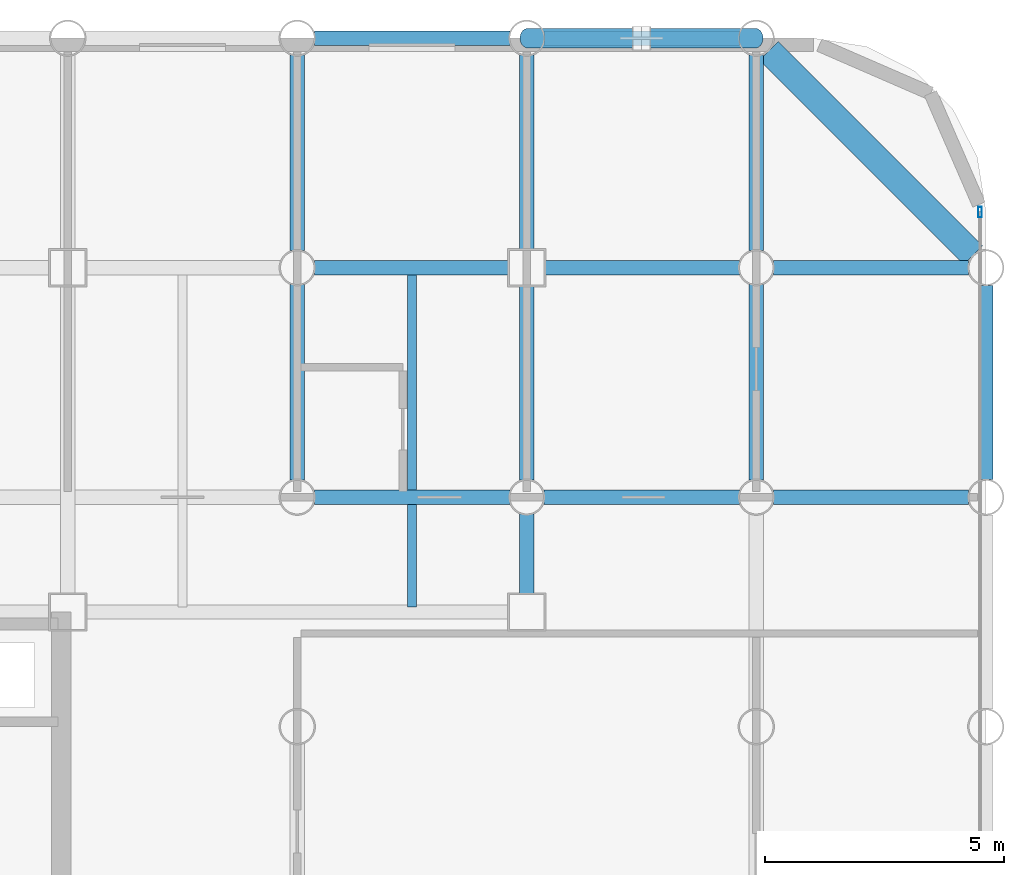
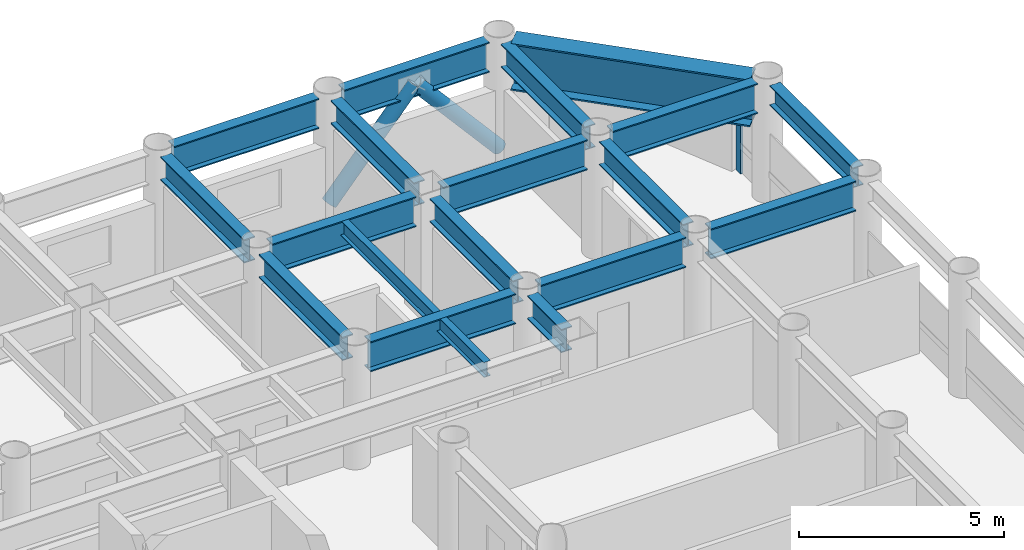
# One storey, part 13 of 21: 18 beams, 3 members, 1 element without a shape of its own.
"""IFC4 building model written with IfcOpenShell, lengths in metres."""

from ifc_helpers import new_model, si_unit, direction, frame, origin, origin_2d, place, context, subcontext, project, spatial, hollow_rectangle, hollow_circle, i_section, extrude, material, layer, layer_set, material_profile, profile_set, type_object, element, aggregate, save


model = new_model("IFC4")

# Units and contexts
model_context = context("Model", 3, precision=1e-05, world=origin(), true_north=direction((0.0, 1.0)))
body_context = subcontext(model_context, "Body", "Model", "MODEL_VIEW")
ifc_project = project(units=[si_unit("LENGTHUNIT", "METRE"), si_unit("AREAUNIT", "SQUARE_METRE"), si_unit("VOLUMEUNIT", "CUBIC_METRE"), si_unit("PLANEANGLEUNIT", "RADIAN"), si_unit("MASSUNIT", "GRAM", prefix="KILO")], contexts=[model_context])

# Site, building, storey
site_placement = place(None, origin())
site = spatial("IfcSite", under=ifc_project, at=site_placement, CompositionType="ELEMENT")
building_placement = place(site_placement, origin())
building = spatial("IfcBuilding", under=site, at=building_placement, Name="Kallvorn Hotel Tower", CompositionType="ELEMENT")
storey_placement = place(building_placement, frame((0.0, 0.0, 81.800048828125)))
storey = spatial("IfcBuildingStorey", under=building, at=storey_placement, Name="L19", CompositionType="ELEMENT", Elevation=81.800048828125)

# Beams
ifc_material_1 = material(Name="Structural steel S355JR", Category="steel")
ifc_material_profile_1 = material_profile(ifc_material_1, i_section(OverallWidth=0.300048828125, OverallDepth=0.60009765625, WebThickness=0.015380859375, FlangeThickness=0.030029296875, at=origin_2d()), Name="HE 600 B")
ifc_profile_set_1 = profile_set([ifc_material_profile_1], Name="Structural steel S355JR")
beam_type_1 = type_object("IfcBeamType", Name="BM_HE600B", PredefinedType="SPANDREL", material=ifc_profile_set_1)
beam_1_placement = place(storey_placement, frame((33.60009765625, 9.970947265625, 3.219970703125), z_axis=(0.0, 1.0, 0.0), x_axis=(-1.0, 0.0, 0.0)))
element("IfcBeam", 1, at=beam_1_placement, inside=storey, type_object=beam_type_1, Name="L20 Perimeter Spandrel 188", PredefinedType="SPANDREL", context=body_context, shape_type="SweptSolid", body=[
    extrude(i_section(OverallWidth=0.300048828125, OverallDepth=0.60009765625, WebThickness=0.015380859375, FlangeThickness=0.030029296875, at=origin_2d()), origin(), (0.0, 0.0, 1.0), 4.05810546875),
])
ifc_material_2 = material(Name="Structural steel S355JR", Category="steel")
ifc_material_profile_2 = material_profile(ifc_material_2, i_section(OverallWidth=0.300048828125, OverallDepth=0.699951171875, WebThickness=0.01708984375, FlangeThickness=0.031982421875, at=origin_2d()), Name="HE 700 B")
ifc_profile_set_2 = profile_set([ifc_material_profile_2], Name="Structural steel S355JR")
beam_type_2 = type_object("IfcBeamType", Name="BM_HE700B", PredefinedType="BEAM", material=ifc_profile_set_2)
for number, where, z_axis, x_axis, name in (
    (2, (19.199951171875, 9.9560546875, 3.169921875), (0.0, 1.0, 0.0), (-1.0, 0.0, 0.0), "L20 Primary Y-Girder 133"),
    (3, (19.199951171875, 14.756103515625, 3.169921875), (0.0, 1.0, 0.0), (-1.0, 0.0, 0.0), "L20 Primary Y-Girder 134"),
):
    element("IfcBeam", number, at=place(storey_placement, frame(where, z_axis=z_axis, x_axis=x_axis)), inside=storey, type_object=beam_type_2, Name=name, PredefinedType="BEAM", context=body_context, shape_type="SweptSolid", body=[
        extrude(i_section(OverallWidth=0.300048828125, OverallDepth=0.699951171875, WebThickness=0.01708984375, FlangeThickness=0.031982421875, at=origin_2d()), origin(), (0.0, 0.0, 1.0), 4.087890625),
    ])
beam_2_placement = place(storey_placement, frame((24.0, 7.574951171875, 3.169921875), z_axis=(0.0, 1.0, 0.0), x_axis=(-1.0, 0.0, 0.0)))
element("IfcBeam", 4, at=beam_2_placement, inside=storey, type_object=beam_type_2, Name="L20 Primary Y-Girder 139", PredefinedType="BEAM", context=body_context, shape_type="SweptSolid", body=[
    extrude(i_section(OverallWidth=0.300048828125, OverallDepth=0.699951171875, WebThickness=0.01708984375, FlangeThickness=0.031982421875, at=origin_2d()), origin(), (0.0, 0.0, 1.0), 1.6689453125),
])
beam_3_placement = place(storey_placement, frame((24.0, 9.9560546875, 3.169921875), z_axis=(0.0, 1.0, 0.0), x_axis=(-1.0, 0.0, 0.0)))
element("IfcBeam", 5, at=beam_3_placement, inside=storey, type_object=beam_type_2, Name="L20 Primary Y-Girder 140", PredefinedType="BEAM", context=body_context, shape_type="SweptSolid", body=[
    extrude(i_section(OverallWidth=0.300048828125, OverallDepth=0.699951171875, WebThickness=0.01708984375, FlangeThickness=0.031982421875, at=origin_2d()), origin(), (0.0, 0.0, 1.0), 4.06884765625),
])
beam_4_placement = place(storey_placement, frame((24.0, 14.77490234375, 3.169921875), z_axis=(0.0, 1.0, 0.0), x_axis=(-1.0, 0.0, 0.0)))
element("IfcBeam", 6, at=beam_4_placement, inside=storey, type_object=beam_type_2, Name="L20 Primary Y-Girder 141", PredefinedType="BEAM", context=body_context, shape_type="SweptSolid", body=[
    extrude(i_section(OverallWidth=0.300048828125, OverallDepth=0.699951171875, WebThickness=0.01708984375, FlangeThickness=0.031982421875, at=origin_2d()), origin(), (0.0, 0.0, 1.0), 4.069091796875),
])
for number, where, z_axis, x_axis, name in (
    (7, (28.800048828125, 9.9560546875, 3.169921875), (0.0, 1.0, 0.0), (-1.0, 0.0, 0.0), "L20 Primary Y-Girder 149"),
    (8, (28.800048828125, 14.756103515625, 3.169921875), (0.0, 1.0, 0.0), (-1.0, 0.0, 0.0), "L20 Primary Y-Girder 150"),
):
    element("IfcBeam", number, at=place(storey_placement, frame(where, z_axis=z_axis, x_axis=x_axis)), inside=storey, type_object=beam_type_2, Name=name, PredefinedType="BEAM", context=body_context, shape_type="SweptSolid", body=[
        extrude(i_section(OverallWidth=0.300048828125, OverallDepth=0.699951171875, WebThickness=0.01708984375, FlangeThickness=0.031982421875, at=origin_2d()), origin(), (0.0, 0.0, 1.0), 4.087890625),
    ])
ifc_material_3 = material(Name="Structural steel S355JR", Category="steel")
ifc_material_profile_3 = material_profile(ifc_material_3, i_section(OverallWidth=0.300048828125, OverallDepth=0.89990234375, WebThickness=0.0185546875, FlangeThickness=0.034912109375, at=origin_2d()), Name="HE 900 B")
ifc_profile_set_3 = profile_set([ifc_material_profile_3], Name="Structural steel S355JR")
beam_type_3 = type_object("IfcBeamType", Name="BM_HE900B", PredefinedType="BEAM", material=ifc_profile_set_3)
for number, where, z_axis, x_axis, name in (
    (9, (19.555908203125, 9.60009765625, 3.070068359375), (1.0, 0.0, 0.0), (0.0, 1.0, 0.0), "L20 Primary X-Girder 48"),
    (10, (24.35595703125, 9.60009765625, 3.070068359375), (1.0, 0.0, 0.0), (0.0, 1.0, 0.0), "L20 Primary X-Girder 49"),
):
    element("IfcBeam", number, at=place(storey_placement, frame(where, z_axis=z_axis, x_axis=x_axis)), inside=storey, type_object=beam_type_3, Name=name, PredefinedType="BEAM", context=body_context, shape_type="SweptSolid", body=[
        extrude(i_section(OverallWidth=0.300048828125, OverallDepth=0.89990234375, WebThickness=0.0185546875, FlangeThickness=0.034912109375, at=origin_2d()), origin(), (0.0, 0.0, 1.0), 4.088134765625),
    ])
beam_5_placement = place(storey_placement, frame((29.156005859375, 9.60009765625, 3.070068359375), z_axis=(1.0, 0.0, 0.0), x_axis=(0.0, 1.0, 0.0)))
element("IfcBeam", 11, at=beam_5_placement, inside=storey, type_object=beam_type_3, Name="L20 Primary X-Girder 50", PredefinedType="BEAM", context=body_context, shape_type="SweptSolid", body=[
    extrude(i_section(OverallWidth=0.300048828125, OverallDepth=0.89990234375, WebThickness=0.0185546875, FlangeThickness=0.034912109375, at=origin_2d()), origin(), (0.0, 0.0, 1.0), 4.087890625),
])
for number, where, z_axis, x_axis, name in (
    (12, (19.555908203125, 14.39990234375, 3.070068359375), (1.0, 0.0, 0.0), (0.0, 1.0, 0.0), "L20 Primary X-Girder 58"),
    (13, (24.375, 14.39990234375, 3.070068359375), (1.0, 0.0, 0.0), (0.0, 1.0, 0.0), "L20 Primary X-Girder 59"),
):
    element("IfcBeam", number, at=place(storey_placement, frame(where, z_axis=z_axis, x_axis=x_axis)), inside=storey, type_object=beam_type_3, Name=name, PredefinedType="BEAM", context=body_context, shape_type="SweptSolid", body=[
        extrude(i_section(OverallWidth=0.300048828125, OverallDepth=0.89990234375, WebThickness=0.0185546875, FlangeThickness=0.034912109375, at=origin_2d()), origin(), (0.0, 0.0, 1.0), 4.069091796875),
    ])
beam_6_placement = place(storey_placement, frame((29.156005859375, 14.39990234375, 3.070068359375), z_axis=(1.0, 0.0, 0.0), x_axis=(0.0, 1.0, 0.0)))
element("IfcBeam", 14, at=beam_6_placement, inside=storey, type_object=beam_type_3, Name="L20 Primary X-Girder 60", PredefinedType="BEAM", context=body_context, shape_type="SweptSolid", body=[
    extrude(i_section(OverallWidth=0.300048828125, OverallDepth=0.89990234375, WebThickness=0.0185546875, FlangeThickness=0.034912109375, at=origin_2d()), origin(), (0.0, 0.0, 1.0), 4.087890625),
])
for number, where, z_axis, x_axis, name in (
    (15, (19.555908203125, 19.199951171875, 3.070068359375), (1.0, 0.0, 0.0), (0.0, 1.0, 0.0), "L20 Primary X-Girder 71"),
    (16, (24.35595703125, 19.199951171875, 3.070068359375), (1.0, 0.0, 0.0), (0.0, 1.0, 0.0), "L20 Primary X-Girder 72"),
):
    element("IfcBeam", number, at=place(storey_placement, frame(where, z_axis=z_axis, x_axis=x_axis)), inside=storey, type_object=beam_type_3, Name=name, PredefinedType="BEAM", context=body_context, shape_type="SweptSolid", body=[
        extrude(i_section(OverallWidth=0.300048828125, OverallDepth=0.89990234375, WebThickness=0.0185546875, FlangeThickness=0.034912109375, at=origin_2d()), origin(), (0.0, 0.0, 1.0), 4.088134765625),
    ])
ifc_material_4 = material(Name="Structural steel S355JR", Category="steel")
ifc_material_profile_4 = material_profile(ifc_material_4, i_section(OverallWidth=0.18994140625, OverallDepth=0.449951171875, WebThickness=0.009521484375, FlangeThickness=0.0146484375, at=origin_2d()), Name="IPE 450")
ifc_profile_set_4 = profile_set([ifc_material_profile_4], Name="Structural steel S355JR")
beam_type_4 = type_object("IfcBeamType", Name="BM_IPE450", PredefinedType="JOIST", material=ifc_profile_set_4)
beam_7_placement = place(storey_placement, frame((21.60009765625, 7.300048828125, 3.294921875), z_axis=(0.0, 1.0, 0.0), x_axis=(-1.0, 0.0, 0.0)))
element("IfcBeam", 17, at=beam_7_placement, inside=storey, type_object=beam_type_4, Name="L20 Secondary Composite Joist 209", PredefinedType="JOIST", context=body_context, shape_type="SweptSolid", body=[
    extrude(i_section(OverallWidth=0.18994140625, OverallDepth=0.449951171875, WebThickness=0.009521484375, FlangeThickness=0.0146484375, at=origin_2d()), origin(), (0.0, 0.0, 1.0), 7.0),
])
ifc_material_5 = material(Name="Structural steel S355JR", Category="steel")
ifc_material_profile_5 = material_profile(ifc_material_5, i_section(OverallWidth=0.550048828125, OverallDepth=1.39990234375, WebThickness=0.02490234375, FlangeThickness=0.044921875, at=origin_2d()), Name="PG 1400x550x25x45")
ifc_profile_set_5 = profile_set([ifc_material_profile_5], Name="Structural steel S355JR")
beam_type_5 = type_object("IfcBeamType", Name="BM_PG_1400", PredefinedType="BEAM", material=ifc_profile_set_5)
beam_8_placement = place(storey_placement, frame((33.337646484375, 14.662353515625, 2.820068359375), z_axis=(-0.707106781187, 0.707106781187, 0.0), x_axis=(-0.707106781187, -0.707106781187, 0.0)))
element("IfcBeam", 18, at=beam_8_placement, inside=storey, type_object=beam_type_5, Name="L20 Rounded Corner Tie Beam 191", PredefinedType="BEAM", context=body_context, shape_type="SweptSolid", body=[
    extrude(i_section(OverallWidth=0.550048828125, OverallDepth=1.39990234375, WebThickness=0.02490234375, FlangeThickness=0.044921875, at=origin_2d()), origin(), (0.0, 0.0, 1.0), 6.04638671875),
])

# Curtain wall, member
ifc_material_6 = material(Name="Thermally broken black-anodised aluminium AA 6063-T6", Category="aluminium")
ifc_layer = layer(ifc_material_6, 0.199951171875)
ifc_layer_set = layer_set([ifc_layer], Name="CW_SYS_3_HOTEL_LOW")
curtain_wall_type = type_object("IfcCurtainWallType", Name="CW_SYS_3_HOTEL_LOW", PredefinedType="USERDEFINED", material=ifc_layer_set)
curtain_wall_placement = place(storey_placement, origin())
curtain_wall = element("IfcCurtainWall", 19, at=curtain_wall_placement, inside=storey, type_object=curtain_wall_type, Name="L19 Dark-Glass Curtain Wall CW-L19-EN", ObjectType="UNITISED CURTAIN WALL", PredefinedType="USERDEFINED")
ifc_material_7 = material(Name="Thermally broken black-anodised aluminium AA 6063-T6", Category="aluminium")
ifc_material_profile_6 = material_profile(ifc_material_7, hollow_rectangle(XDim=0.080078125, YDim=0.219970703125, WallThickness=0.0048828125, at=origin_2d()), Name="MUL 220x80")
ifc_profile_set_6 = profile_set([ifc_material_profile_6], Name="Thermally broken black-anodised aluminium AA 6063-T6")
member_type_1 = type_object("IfcMemberType", Name="CW_MULLION_220x80", PredefinedType="MULLION", material=ifc_profile_set_6)
member_placement = place(storey_placement, frame((33.47998046875, 15.56005859375, 0.02001953125), z_axis=(0.0, 0.0, 1.0), x_axis=(1.0, 0.0, 0.0)))
member = element("IfcMember", 20, at=member_placement, type_object=member_type_1, Name="CW-L19-EN Mullion 01", PredefinedType="MULLION", context=body_context, shape_type="SweptSolid", body=[
    extrude(hollow_rectangle(XDim=0.080078125, YDim=0.219970703125, WallThickness=0.0048828125, at=origin_2d()), origin(), (0.0, 0.0, 1.0), 2.079833984375),
])
aggregate(curtain_wall, [member])

# Members
ifc_material_8 = material(Name="Structural steel S355J2H", Category="steel")
ifc_material_profile_7 = material_profile(ifc_material_8, hollow_circle(Radius=0.203125, WallThickness=0.01611328125, at=origin_2d()), Name="CHS 406.4x16")
ifc_profile_set_7 = profile_set([ifc_material_profile_7], Name="Structural steel S355J2H")
member_type_2 = type_object("IfcMemberType", Name="MBR_EXO_CHS406", PredefinedType="BRACE", material=ifc_profile_set_7)
for number, where, z_axis, x_axis, name in (
    (21, (24.01318359375, 19.199951171875, 0.195068359375), (0.65346062529, 0.0, 0.756960508346), (0.0, 1.0, 0.0), "L19 Exoskeleton K-Brace N2A"),
    (22, (28.786865234375, 19.199951171875, 0.195068359375), (-0.65346062529, 0.0, 0.756960508346), (0.0, -1.0, 0.0), "L19 Exoskeleton K-Brace N2B"),
):
    element("IfcMember", number, at=place(storey_placement, frame(where, z_axis=z_axis, x_axis=x_axis)), inside=storey, type_object=member_type_2, Name=name, PredefinedType="BRACE", context=body_context, shape_type="SweptSolid", body=[
        extrude(hollow_circle(Radius=0.203125, WallThickness=0.01611328125, at=origin_2d()), origin(), (0.0, 0.0, 1.0), 3.632568359375),
    ])

save(model, "model.ifc")
